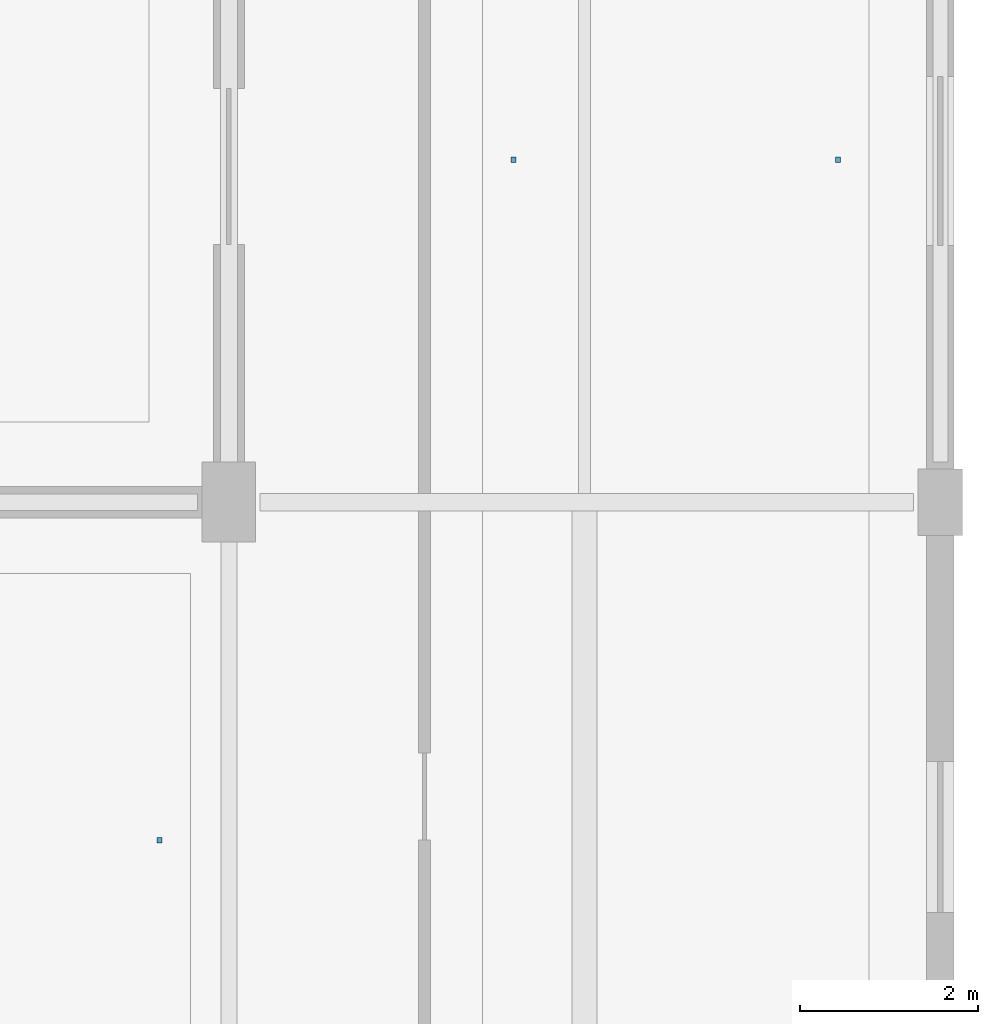
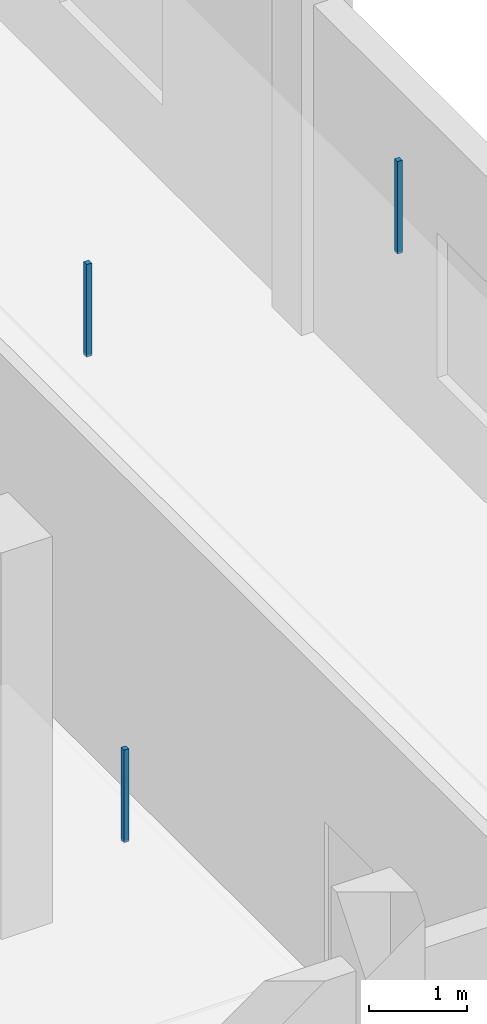
# One storey, part 107 of 141: 3 discrete accessories.
"""IFC4 building model written with IfcOpenShell, lengths in metres."""

from ifc_helpers import new_model, si_unit, direction, frame, origin, origin_2d, place, context, subcontext, project, spatial, rectangle, extrude, material, type_object, element, save


model = new_model("IFC4")

# Units and contexts
model_context = context("Model", 3, precision=1e-05, world=origin(), true_north=direction((0.0, 1.0)))
body_context = subcontext(model_context, "Body", "Model", "MODEL_VIEW")
ifc_project = project(units=[si_unit("LENGTHUNIT", "METRE"), si_unit("AREAUNIT", "SQUARE_METRE"), si_unit("VOLUMEUNIT", "CUBIC_METRE"), si_unit("PLANEANGLEUNIT", "RADIAN"), si_unit("MASSUNIT", "GRAM", prefix="KILO")], contexts=[model_context])

# Site, building, storey
site_placement = place(None, origin())
site = spatial("IfcSite", under=ifc_project, at=site_placement, CompositionType="ELEMENT")
building_placement = place(site_placement, origin())
building = spatial("IfcBuilding", under=site, at=building_placement, Name="Khelvaren Railside Concert Hall", CompositionType="ELEMENT")
storey_placement = place(building_placement, frame((0.0, 0.0, 10.199951171875)))
storey = spatial("IfcBuildingStorey", under=building, at=storey_placement, Name="L02", CompositionType="ELEMENT", Elevation=10.199951171875)

# Discrete accessories
ifc_material = material(Name="Galvanised steel acoustic ceiling hanger rod", Category="steel")
discrete_accessory_type = type_object("IfcDiscreteAccessoryType", Name="BRK62", PredefinedType="BRACKET", material=ifc_material)
for number, where, z_axis, x_axis, name in (
    (1, (43.199951171875, 87.449951171875, 3.43017578125), (0.0, 0.0, 1.0), (1.0, 0.0, 0.0), "Acoustic Ceiling Suspension Bracket 122-1"),
    (2, (46.85009765625, 87.449951171875, 3.43017578125), (0.0, 0.0, 1.0), (1.0, 0.0, 0.0), "Acoustic Ceiling Suspension Bracket 122-2"),
    (3, (39.219970703125, 79.800048828125, 3.43017578125), (0.0, 0.0, 1.0), (1.0, 0.0, 0.0), "Acoustic Ceiling Suspension Bracket 124-2"),
):
    element("IfcDiscreteAccessory", number, at=place(storey_placement, frame(where, z_axis=z_axis, x_axis=x_axis)), inside=storey, type_object=discrete_accessory_type, Name=name, PredefinedType="BRACKET", context=body_context, shape_type="SweptSolid", body=[
        extrude(rectangle(XDim=0.06005859375, YDim=0.06005859375, at=origin_2d()), origin(), (0.0, 0.0, 1.0), 1.14990234375),
    ])

save(model, "model.ifc")
